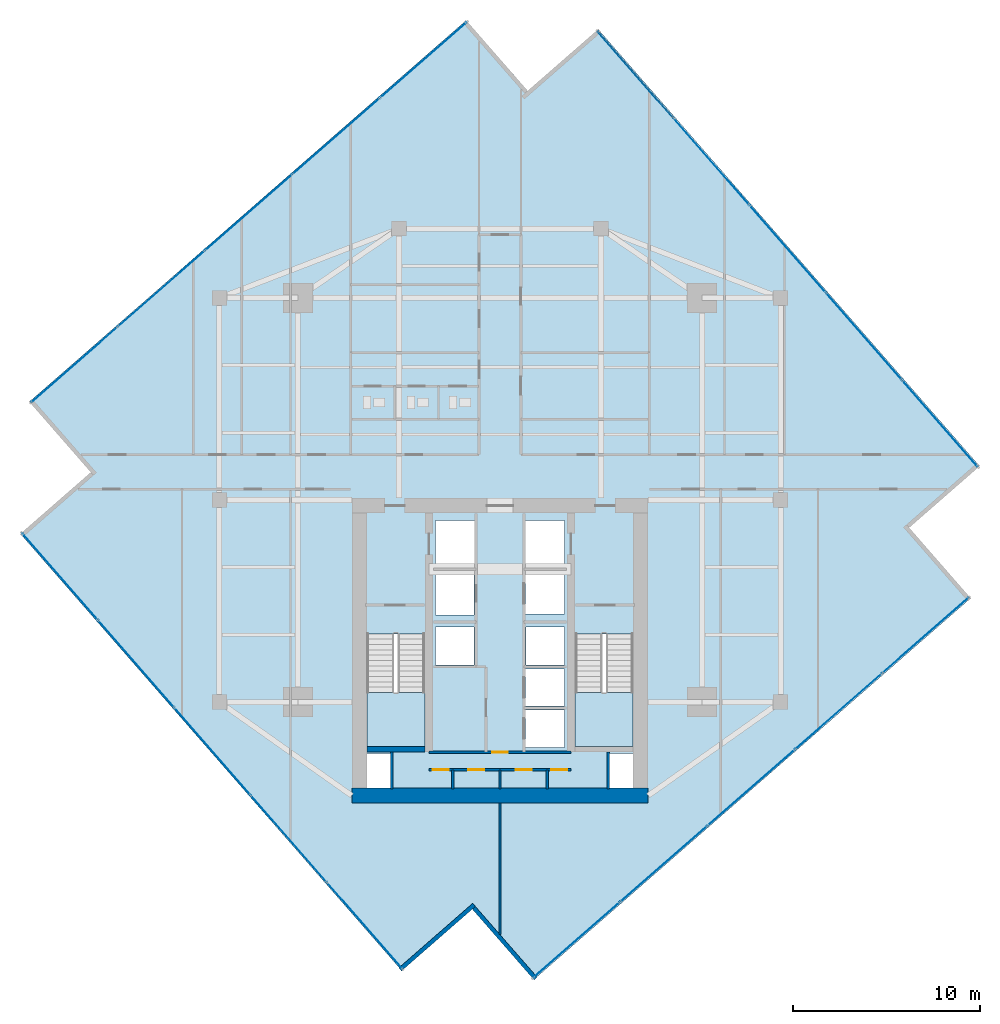
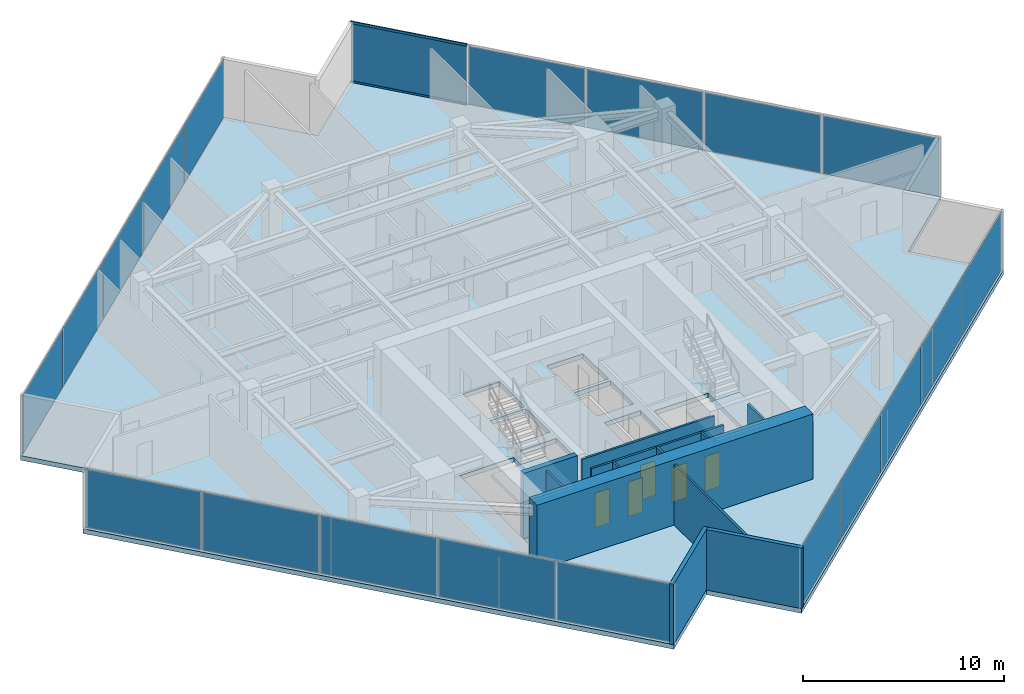
# One storey, part 19 of 24: 20 plates, 12 walls, 5 doors, 3 slabs, 2 members, 5 openings, 6 elements without a shape of their own.
"""IFC4 building model written with IfcOpenShell, lengths in metres."""

from ifc_helpers import new_model, si_unit, direction, frame, frame_2d, origin, origin_2d, place, context, subcontext, project, spatial, polyline, rectangle, hollow_rectangle, outline, extrude, source, transform, mapped, material, layer, layer_set, material_profile, profile_set, type_object, type_shapes, element, fill, aggregate, save


model = new_model("IFC4")

# Units and contexts
model_context = context("Model", 3, precision=1e-05, world=origin(), true_north=direction((0.0, 1.0)))
body_context = subcontext(model_context, "Body", "Model", "MODEL_VIEW")
ifc_project = project(units=[si_unit("LENGTHUNIT", "METRE"), si_unit("AREAUNIT", "SQUARE_METRE"), si_unit("VOLUMEUNIT", "CUBIC_METRE"), si_unit("PLANEANGLEUNIT", "RADIAN"), si_unit("MASSUNIT", "GRAM", prefix="KILO")], contexts=[model_context])

# Site, building, storey
site_placement = place(None, origin())
site = spatial("IfcSite", under=ifc_project, at=site_placement, CompositionType="ELEMENT")
building_placement = place(site_placement, origin())
building = spatial("IfcBuilding", under=site, at=building_placement, Name="Krantzveldt Concourse Tower", CompositionType="ELEMENT")
storey_placement = place(building_placement, frame((0.0, 0.0, 254.699951171875)))
storey = spatial("IfcBuildingStorey", under=building, at=storey_placement, Name="L62", CompositionType="ELEMENT", Elevation=254.699951171875)

# Curtain wall, members
ifc_material_1 = material(Name="Anodised aluminium 6063-T6", Category="aluminium")
curtain_wall_type = type_object("IfcCurtainWallType", Name="CW3", PredefinedType="USERDEFINED", material=ifc_material_1)
curtain_wall_1_placement = place(storey_placement, origin())
curtain_wall_1 = element("IfcCurtainWall", 1, at=curtain_wall_1_placement, inside=storey, type_object=curtain_wall_type, Name="CW-L62-F10", ObjectType="UNITISED CURTAIN WALL", PredefinedType="USERDEFINED")
ifc_material_profile = material_profile(ifc_material_1, hollow_rectangle(XDim=0.070068359375, YDim=0.139892578125, WallThickness=0.0048828125, at=origin_2d()), Name="Anodised aluminium 6063-T6", Category="aluminium")
ifc_profile_set = profile_set([ifc_material_profile], Name="Anodised aluminium 6063-T6 - ALU-TRAN 140x70x5")
member_type = type_object("IfcMemberType", Name="CW-TRN-150", PredefinedType="USERDEFINED", material=ifc_profile_set)
shared_shape_1 = source(origin(), body_context, "Body", "SweptSolid", [
    extrude(hollow_rectangle(XDim=0.070068359375, YDim=0.139892578125, WallThickness=0.0048828125, at=origin_2d()), origin(), (0.0, 0.0, 1.0), 6.094970703125),
])
type_shapes(member_type, [shared_shape_1])
member_1_placement = place(storey_placement, frame((45.234619140625, 47.155517578125, 0.03515625), z_axis=(-0.657681823072, 0.753295838035, 0.0), x_axis=(-0.753295838035, -0.657681823072, 0.0)))
member_1 = element("IfcMember", 2, at=member_1_placement, type_object=member_type, Name="CW-Z34 transom 5.1", ObjectType="TRANSOM", PredefinedType="USERDEFINED", context=body_context, shape_type="MappedRepresentation", body=[
    mapped(shared_shape_1, transform((0.0, 0.0, 0.0), x_axis=(1.0, 0.0, 0.0), y_axis=(0.0, 1.0, 0.0), z_axis=(0.0, 0.0, 1.0), scale=1.0)),
])
member_2_placement = place(storey_placement, frame((45.234619140625, 47.155517578125, 3.635009765625), z_axis=(-0.657681823072, 0.753295838035, 0.0), x_axis=(-0.753295838035, -0.657681823072, 0.0)))
member_2 = element("IfcMember", 3, at=member_2_placement, type_object=member_type, Name="CW-Z34 transom 5.2", ObjectType="TRANSOM", PredefinedType="USERDEFINED", context=body_context, shape_type="MappedRepresentation", body=[
    mapped(shared_shape_1, transform((0.0, 0.0, 0.0), x_axis=(1.0, 0.0, 0.0), y_axis=(0.0, 1.0, 0.0), z_axis=(0.0, 0.0, 1.0), scale=1.0)),
])

# Stair, slab
ifc_material_2 = material(Name="Precast concrete C40/50", Category="concrete")
stair_type = type_object("IfcStairType", Name="STR-CORE-DOGLEG", PredefinedType="HALF_TURN_STAIR", material=ifc_material_2)
stair_1_placement = place(storey_placement, origin())
stair_1 = element("IfcStair", 4, at=stair_1_placement, inside=storey, type_object=stair_type, Name="L62 Protected Escape Stair ST-1", PredefinedType="HALF_TURN_STAIR")
ifc_layer_1 = layer(ifc_material_2, 0.199951171875, Name="Precast concrete C40/50", Category="concrete")
ifc_layer_set_1 = layer_set([ifc_layer_1], Name="Precast concrete C40/50 (SL-LANDING-200)")
slab_type_1 = type_object("IfcSlabType", Name="SL-LANDING-200", PredefinedType="LANDING", material=ifc_layer_set_1)
slab_1_placement = place(storey_placement, frame((0.0, 0.0, 1.775146484375)))
slab_1 = element("IfcSlab", 5, at=slab_1_placement, type_object=slab_type_1, Name="ST-1 landing 1", PredefinedType="LANDING", context=body_context, shape_type="SweptSolid", body=[
    extrude(outline(polyline([(28.8798828125, 16.4150390625), (28.8798828125, 13.52001953125), (31.97998046875, 13.52001953125), (31.97998046875, 16.4150390625), (28.8798828125, 16.4150390625)])), origin(), (0.0, 0.0, 1.0), 0.199951171875),
])
aggregate(stair_1, [slab_1])

stair_2_placement = place(storey_placement, origin())
stair_2 = element("IfcStair", 6, at=stair_2_placement, inside=storey, type_object=stair_type, Name="L62 Protected Escape Stair ST-2", PredefinedType="HALF_TURN_STAIR")
slab_2_placement = place(storey_placement, frame((0.0, 0.0, 1.775146484375)))
slab_2 = element("IfcSlab", 7, at=slab_2_placement, type_object=slab_type_1, Name="ST-2 landing 1", PredefinedType="LANDING", context=body_context, shape_type="SweptSolid", body=[
    extrude(outline(polyline([(40.02001953125, 16.4150390625), (40.02001953125, 13.52001953125), (43.1201171875, 13.52001953125), (43.1201171875, 16.4150390625), (40.02001953125, 16.4150390625)])), origin(), (0.0, 0.0, 1.0), 0.199951171875),
])
aggregate(stair_2, [slab_2])

# Slab
ifc_material_3 = material(Name="Concrete C40/50", Category="concrete")
ifc_layer_2 = layer(ifc_material_3, 0.280029296875, Name="Concrete C40/50", Category="concrete")
ifc_layer_set_2 = layer_set([ifc_layer_2], Name="Concrete C40/50 (SL-SL-TWR280)")
slab_type_2 = type_object("IfcSlabType", Name="SL-SL-TWR280", PredefinedType="FLOOR", material=ifc_layer_set_2)
slab_3_placement = place(storey_placement, frame((0.0, 0.0, -0.280029296875)))
element("IfcSlab", 8, at=slab_3_placement, inside=storey, type_object=slab_type_2, Name="SL-L62-MAIN", PredefinedType="FLOOR", context=body_context, shape_type="SweptSolid", body=[
    extrude(outline(polyline([(37.4814453125, 48.5703125), (34.19287109375, 52.336669921875), (10.84130859375, 31.94775390625), (14.1298828125, 28.181396484375), (10.363525390625, 24.892822265625), (30.752197265625, 1.541259765625), (34.5185546875, 4.829833984375), (37.80712890625, 1.0634765625), (61.15869140625, 21.4521484375), (57.8701171875, 25.21875), (61.636474609375, 28.507080078125), (41.247802734375, 51.858642578125), (37.4814453125, 48.5703125)]), holes=[polyline([(28.8798828125, 19.547607421875), (28.8798828125, 13.52001953125), (31.97998046875, 13.52001953125), (31.97998046875, 19.547607421875), (28.8798828125, 19.547607421875)]), polyline([(40.02001953125, 19.547607421875), (40.02001953125, 13.52001953125), (43.1201171875, 13.52001953125), (43.1201171875, 19.547607421875), (40.02001953125, 19.547607421875)]), polyline([(32.550048828125, 23.10009765625), (34.64990234375, 23.10009765625), (34.64990234375, 25.60009765625), (32.550048828125, 25.60009765625), (32.550048828125, 23.10009765625)]), polyline([(37.35009765625, 23.10009765625), (39.449951171875, 23.10009765625), (39.449951171875, 25.60009765625), (37.35009765625, 25.60009765625), (37.35009765625, 23.10009765625)]), polyline([(37.35009765625, 20.60009765625), (39.449951171875, 20.60009765625), (39.449951171875, 22.89990234375), (37.35009765625, 22.89990234375), (37.35009765625, 20.60009765625)]), polyline([(37.35009765625, 13.47998046875), (39.449951171875, 13.47998046875), (39.449951171875, 15.47998046875), (37.35009765625, 15.47998046875), (37.35009765625, 13.47998046875)]), polyline([(37.35009765625, 15.679931640625), (39.449951171875, 15.679931640625), (39.449951171875, 17.679931640625), (37.35009765625, 17.679931640625), (37.35009765625, 15.679931640625)]), polyline([(32.550048828125, 20.550048828125), (34.6201171875, 20.550048828125), (34.6201171875, 22.89990234375), (32.550048828125, 22.89990234375), (32.550048828125, 20.550048828125)]), polyline([(32.550048828125, 17.8798828125), (34.6201171875, 17.8798828125), (34.6201171875, 19.919921875), (32.550048828125, 19.919921875), (32.550048828125, 17.8798828125)]), polyline([(37.3798828125, 17.8798828125), (39.449951171875, 17.8798828125), (39.449951171875, 19.919921875), (37.3798828125, 19.919921875), (37.3798828125, 17.8798828125)]), polyline([(28.8798828125, 11.320068359375), (30.139892578125, 11.320068359375), (30.139892578125, 13.159912109375), (28.8798828125, 13.159912109375), (28.8798828125, 11.320068359375)]), polyline([(41.860107421875, 11.320068359375), (43.1201171875, 11.320068359375), (43.1201171875, 13.159912109375), (41.860107421875, 13.159912109375), (41.860107421875, 11.320068359375)])]), origin(), (0.0, 0.0, 1.0), 0.280029296875),
])

# Curtain wall, plates
curtain_wall_2_placement = place(storey_placement, origin())
curtain_wall_2 = element("IfcCurtainWall", 9, at=curtain_wall_2_placement, inside=storey, type_object=curtain_wall_type, Name="CW-L62-F01", ObjectType="UNITISED CURTAIN WALL", PredefinedType="USERDEFINED")
ifc_material_4 = material(Name="Bronze-tinted laminated low-E IGU glass", Category="glass")
ifc_layer_3 = layer(ifc_material_4, 0.031982421875, Name="Bronze-tinted laminated low-E IGU glass", Category="glass")
ifc_layer_set_3 = layer_set([ifc_layer_3], Name="Bronze-tinted laminated low-E IGU glass (CW-GLZ-32)")
plate_type = type_object("IfcPlateType", Name="CW-GLZ-32", PredefinedType="CURTAIN_PANEL", material=ifc_layer_set_3)
shared_shape_2 = source(origin(), body_context, "Body", "SweptSolid", [
    extrude(rectangle(XDim=6.094970703125, YDim=0.031982421875, at=origin_2d()), origin(), (0.0, 0.0, 1.0), 3.530029296875),
])
plate_1_placement = place(storey_placement, frame((31.90380859375, 50.218505859375, 0.06982421875), z_axis=(0.0, 0.0, 1.0), x_axis=(-0.753276529034, -0.657703938567, 0.0)))
plate_1 = element("IfcPlate", 10, at=plate_1_placement, type_object=plate_type, Name="CW-Z34 panel 1.1", PredefinedType="CURTAIN_PANEL", context=body_context, shape_type="MappedRepresentation", body=[
    mapped(shared_shape_2, transform((0.0, 0.0, 0.0), x_axis=(1.0, 0.0, 0.0), y_axis=(0.0, 1.0, 0.0), z_axis=(0.0, 0.0, 1.0), scale=1.0)),
])
plate_2_placement = place(storey_placement, frame((13.248779296875, 33.930419921875, 0.06982421875), z_axis=(0.0, 0.0, 1.0), x_axis=(-0.753276529034, -0.657703938567, 0.0)))
plate_2 = element("IfcPlate", 11, at=plate_2_placement, type_object=plate_type, Name="CW-Z34 panel 5.1", PredefinedType="CURTAIN_PANEL", context=body_context, shape_type="MappedRepresentation", body=[
    mapped(shared_shape_2, transform((0.0, 0.0, 0.0), x_axis=(1.0, 0.0, 0.0), y_axis=(0.0, 1.0, 0.0), z_axis=(0.0, 0.0, 1.0), scale=1.0)),
])

curtain_wall_3_placement = place(storey_placement, origin())
curtain_wall_3 = element("IfcCurtainWall", 12, at=curtain_wall_3_placement, inside=storey, type_object=curtain_wall_type, Name="CW-L62-F04", ObjectType="UNITISED CURTAIN WALL", PredefinedType="USERDEFINED")
plate_3_placement = place(storey_placement, frame((12.481689453125, 22.603759765625, 0.06982421875), z_axis=(0.0, 0.0, 1.0), x_axis=(0.657703938567, -0.753276529034, 0.0)))
plate_3 = element("IfcPlate", 13, at=plate_3_placement, type_object=plate_type, Name="CW-Z34 panel 1.1", PredefinedType="CURTAIN_PANEL", context=body_context, shape_type="MappedRepresentation", body=[
    mapped(shared_shape_2, transform((0.0, 0.0, 0.0), x_axis=(1.0, 0.0, 0.0), y_axis=(0.0, 1.0, 0.0), z_axis=(0.0, 0.0, 1.0), scale=1.0)),
])
plate_4_placement = place(storey_placement, frame((28.76953125, 3.94873046875, 0.06982421875), z_axis=(0.0, 0.0, 1.0), x_axis=(0.657703938567, -0.753276529034, 0.0)))
plate_4 = element("IfcPlate", 14, at=plate_4_placement, type_object=plate_type, Name="CW-Z34 panel 5.1", PredefinedType="CURTAIN_PANEL", context=body_context, shape_type="MappedRepresentation", body=[
    mapped(shared_shape_2, transform((0.0, 0.0, 0.0), x_axis=(1.0, 0.0, 0.0), y_axis=(0.0, 1.0, 0.0), z_axis=(0.0, 0.0, 1.0), scale=1.0)),
])

curtain_wall_4_placement = place(storey_placement, origin())
curtain_wall_4 = element("IfcCurtainWall", 15, at=curtain_wall_4_placement, inside=storey, type_object=curtain_wall_type, Name="CW-L62-F07", ObjectType="UNITISED CURTAIN WALL", PredefinedType="USERDEFINED")
plate_5_placement = place(storey_placement, frame((40.09619140625, 3.181640625, 0.06982421875), z_axis=(0.0, 0.0, 1.0), x_axis=(0.753276529034, 0.657703938567, 0.0)))
plate_5 = element("IfcPlate", 16, at=plate_5_placement, type_object=plate_type, Name="CW-Z34 panel 1.1", PredefinedType="CURTAIN_PANEL", context=body_context, shape_type="MappedRepresentation", body=[
    mapped(shared_shape_2, transform((0.0, 0.0, 0.0), x_axis=(1.0, 0.0, 0.0), y_axis=(0.0, 1.0, 0.0), z_axis=(0.0, 0.0, 1.0), scale=1.0)),
])
plate_6_placement = place(storey_placement, frame((58.751220703125, 19.4697265625, 0.06982421875), z_axis=(0.0, 0.0, 1.0), x_axis=(0.753276529034, 0.657703938567, 0.0)))
plate_6 = element("IfcPlate", 17, at=plate_6_placement, type_object=plate_type, Name="CW-Z34 panel 5.1", PredefinedType="CURTAIN_PANEL", context=body_context, shape_type="MappedRepresentation", body=[
    mapped(shared_shape_2, transform((0.0, 0.0, 0.0), x_axis=(1.0, 0.0, 0.0), y_axis=(0.0, 1.0, 0.0), z_axis=(0.0, 0.0, 1.0), scale=1.0)),
])

# Plate
plate_7_placement = place(storey_placement, frame((59.518310546875, 30.79638671875, 0.06982421875), z_axis=(0.0, 0.0, 1.0), x_axis=(-0.657703938567, 0.753276529034, 0.0)))
plate_7 = element("IfcPlate", 18, at=plate_7_placement, type_object=plate_type, Name="CW-Z34 panel 1.1", PredefinedType="CURTAIN_PANEL", context=body_context, shape_type="MappedRepresentation", body=[
    mapped(shared_shape_2, transform((0.0, 0.0, 0.0), x_axis=(1.0, 0.0, 0.0), y_axis=(0.0, 1.0, 0.0), z_axis=(0.0, 0.0, 1.0), scale=1.0)),
])

plate_8_placement = place(storey_placement, frame((43.23046875, 49.451171875, 0.06982421875), z_axis=(0.0, 0.0, 1.0), x_axis=(-0.657703938567, 0.753276529034, 0.0)))
plate_8 = element("IfcPlate", 19, at=plate_8_placement, type_object=plate_type, Name="CW-Z34 panel 5.1", PredefinedType="CURTAIN_PANEL", context=body_context, shape_type="MappedRepresentation", body=[
    mapped(shared_shape_2, transform((0.0, 0.0, 0.0), x_axis=(1.0, 0.0, 0.0), y_axis=(0.0, 1.0, 0.0), z_axis=(0.0, 0.0, 1.0), scale=1.0)),
])

shared_shape_3 = source(origin(), body_context, "Body", "SweptSolid", [
    extrude(rectangle(XDim=6.1298828125, YDim=0.031982421875, at=origin_2d()), origin(), (0.0, 0.0, 1.0), 3.530029296875),
])
type_shapes(plate_type, [shared_shape_2, shared_shape_3])
plate_9_placement = place(storey_placement, frame((27.24658203125, 46.152099609375, 0.06982421875), z_axis=(0.0, 0.0, 1.0), x_axis=(-0.753276529034, -0.657703938567, 0.0)))
plate_9 = element("IfcPlate", 20, at=plate_9_placement, type_object=plate_type, Name="CW-Z34 panel 2.1", PredefinedType="CURTAIN_PANEL", context=body_context, shape_type="MappedRepresentation", body=[
    mapped(shared_shape_3, transform((0.0, 0.0, 0.0), x_axis=(1.0, 0.0, 0.0), y_axis=(0.0, 1.0, 0.0), z_axis=(0.0, 0.0, 1.0), scale=1.0)),
])

plate_10_placement = place(storey_placement, frame((22.576171875, 42.074462890625, 0.06982421875), z_axis=(0.0, 0.0, 1.0), x_axis=(-0.753276529034, -0.657703938567, 0.0)))
plate_10 = element("IfcPlate", 21, at=plate_10_placement, type_object=plate_type, Name="CW-Z34 panel 3.1", PredefinedType="CURTAIN_PANEL", context=body_context, shape_type="MappedRepresentation", body=[
    mapped(shared_shape_3, transform((0.0, 0.0, 0.0), x_axis=(1.0, 0.0, 0.0), y_axis=(0.0, 1.0, 0.0), z_axis=(0.0, 0.0, 1.0), scale=1.0)),
])

plate_11_placement = place(storey_placement, frame((17.906005859375, 37.99658203125, 0.06982421875), z_axis=(0.0, 0.0, 1.0), x_axis=(-0.753276529034, -0.657703938567, 0.0)))
plate_11 = element("IfcPlate", 22, at=plate_11_placement, type_object=plate_type, Name="CW-Z34 panel 4.1", PredefinedType="CURTAIN_PANEL", context=body_context, shape_type="MappedRepresentation", body=[
    mapped(shared_shape_3, transform((0.0, 0.0, 0.0), x_axis=(1.0, 0.0, 0.0), y_axis=(0.0, 1.0, 0.0), z_axis=(0.0, 0.0, 1.0), scale=1.0)),
])

aggregate(curtain_wall_2, [plate_1, plate_9, plate_10, plate_11, plate_2])

plate_12_placement = place(storey_placement, frame((16.5478515625, 17.946533203125, 0.06982421875), z_axis=(0.0, 0.0, 1.0), x_axis=(0.657703938567, -0.753276529034, 0.0)))
plate_12 = element("IfcPlate", 23, at=plate_12_placement, type_object=plate_type, Name="CW-Z34 panel 2.1", PredefinedType="CURTAIN_PANEL", context=body_context, shape_type="MappedRepresentation", body=[
    mapped(shared_shape_3, transform((0.0, 0.0, 0.0), x_axis=(1.0, 0.0, 0.0), y_axis=(0.0, 1.0, 0.0), z_axis=(0.0, 0.0, 1.0), scale=1.0)),
])

plate_13_placement = place(storey_placement, frame((20.625732421875, 13.2763671875, 0.06982421875), z_axis=(0.0, 0.0, 1.0), x_axis=(0.657703938567, -0.753276529034, 0.0)))
plate_13 = element("IfcPlate", 24, at=plate_13_placement, type_object=plate_type, Name="CW-Z34 panel 3.1", PredefinedType="CURTAIN_PANEL", context=body_context, shape_type="MappedRepresentation", body=[
    mapped(shared_shape_3, transform((0.0, 0.0, 0.0), x_axis=(1.0, 0.0, 0.0), y_axis=(0.0, 1.0, 0.0), z_axis=(0.0, 0.0, 1.0), scale=1.0)),
])

plate_14_placement = place(storey_placement, frame((24.703369140625, 8.60595703125, 0.06982421875), z_axis=(0.0, 0.0, 1.0), x_axis=(0.657703938567, -0.753276529034, 0.0)))
plate_14 = element("IfcPlate", 25, at=plate_14_placement, type_object=plate_type, Name="CW-Z34 panel 4.1", PredefinedType="CURTAIN_PANEL", context=body_context, shape_type="MappedRepresentation", body=[
    mapped(shared_shape_3, transform((0.0, 0.0, 0.0), x_axis=(1.0, 0.0, 0.0), y_axis=(0.0, 1.0, 0.0), z_axis=(0.0, 0.0, 1.0), scale=1.0)),
])

aggregate(curtain_wall_3, [plate_3, plate_12, plate_13, plate_14, plate_4])

plate_15_placement = place(storey_placement, frame((44.75341796875, 7.247802734375, 0.06982421875), z_axis=(0.0, 0.0, 1.0), x_axis=(0.753276529034, 0.657703938567, 0.0)))
plate_15 = element("IfcPlate", 26, at=plate_15_placement, type_object=plate_type, Name="CW-Z34 panel 2.1", PredefinedType="CURTAIN_PANEL", context=body_context, shape_type="MappedRepresentation", body=[
    mapped(shared_shape_3, transform((0.0, 0.0, 0.0), x_axis=(1.0, 0.0, 0.0), y_axis=(0.0, 1.0, 0.0), z_axis=(0.0, 0.0, 1.0), scale=1.0)),
])

plate_16_placement = place(storey_placement, frame((49.423828125, 11.32568359375, 0.06982421875), z_axis=(0.0, 0.0, 1.0), x_axis=(0.753276529034, 0.657703938567, 0.0)))
plate_16 = element("IfcPlate", 27, at=plate_16_placement, type_object=plate_type, Name="CW-Z34 panel 3.1", PredefinedType="CURTAIN_PANEL", context=body_context, shape_type="MappedRepresentation", body=[
    mapped(shared_shape_3, transform((0.0, 0.0, 0.0), x_axis=(1.0, 0.0, 0.0), y_axis=(0.0, 1.0, 0.0), z_axis=(0.0, 0.0, 1.0), scale=1.0)),
])

plate_17_placement = place(storey_placement, frame((54.093994140625, 15.4033203125, 0.06982421875), z_axis=(0.0, 0.0, 1.0), x_axis=(0.753276529034, 0.657703938567, 0.0)))
plate_17 = element("IfcPlate", 28, at=plate_17_placement, type_object=plate_type, Name="CW-Z34 panel 4.1", PredefinedType="CURTAIN_PANEL", context=body_context, shape_type="MappedRepresentation", body=[
    mapped(shared_shape_3, transform((0.0, 0.0, 0.0), x_axis=(1.0, 0.0, 0.0), y_axis=(0.0, 1.0, 0.0), z_axis=(0.0, 0.0, 1.0), scale=1.0)),
])

aggregate(curtain_wall_4, [plate_5, plate_15, plate_16, plate_17, plate_6])

plate_18_placement = place(storey_placement, frame((55.4521484375, 35.453369140625, 0.06982421875), z_axis=(0.0, 0.0, 1.0), x_axis=(-0.657703938567, 0.753276529034, 0.0)))
plate_18 = element("IfcPlate", 29, at=plate_18_placement, type_object=plate_type, Name="CW-Z34 panel 2.1", PredefinedType="CURTAIN_PANEL", context=body_context, shape_type="MappedRepresentation", body=[
    mapped(shared_shape_3, transform((0.0, 0.0, 0.0), x_axis=(1.0, 0.0, 0.0), y_axis=(0.0, 1.0, 0.0), z_axis=(0.0, 0.0, 1.0), scale=1.0)),
])

plate_19_placement = place(storey_placement, frame((51.374267578125, 40.123779296875, 0.06982421875), z_axis=(0.0, 0.0, 1.0), x_axis=(-0.657703938567, 0.753276529034, 0.0)))
plate_19 = element("IfcPlate", 30, at=plate_19_placement, type_object=plate_type, Name="CW-Z34 panel 3.1", PredefinedType="CURTAIN_PANEL", context=body_context, shape_type="MappedRepresentation", body=[
    mapped(shared_shape_3, transform((0.0, 0.0, 0.0), x_axis=(1.0, 0.0, 0.0), y_axis=(0.0, 1.0, 0.0), z_axis=(0.0, 0.0, 1.0), scale=1.0)),
])

plate_20_placement = place(storey_placement, frame((47.296630859375, 44.7939453125, 0.06982421875), z_axis=(0.0, 0.0, 1.0), x_axis=(-0.657703938567, 0.753276529034, 0.0)))
plate_20 = element("IfcPlate", 31, at=plate_20_placement, type_object=plate_type, Name="CW-Z34 panel 4.1", PredefinedType="CURTAIN_PANEL", context=body_context, shape_type="MappedRepresentation", body=[
    mapped(shared_shape_3, transform((0.0, 0.0, 0.0), x_axis=(1.0, 0.0, 0.0), y_axis=(0.0, 1.0, 0.0), z_axis=(0.0, 0.0, 1.0), scale=1.0)),
])

aggregate(curtain_wall_1, [plate_7, plate_18, plate_19, plate_20, member_1, member_2, plate_8])

# Walls
ifc_layer_4 = layer(ifc_material_1, 0.219970703125, Name="Anodised aluminium 6063-T6", Category="aluminium")
ifc_layer_set_4 = layer_set([ifc_layer_4], Name="Anodised aluminium 6063-T6 (WL-EXT-NOTCH220)")
wall_type_1 = type_object("IfcWallType", Name="WL-EXT-NOTCH220", PredefinedType="ELEMENTEDWALL", material=ifc_layer_set_4)
wall_1_placement = place(storey_placement, frame((30.6611328125, 1.607666015625, 0.0), z_axis=(0.0, 0.0, 1.0), x_axis=(0.7532711863, 0.657710057617, 0.0)))
element("IfcWall", 32, at=wall_1_placement, inside=storey, type_object=wall_type_1, Name="EW-L62-NCH05", PredefinedType="ELEMENTEDWALL", context=body_context, shape_type="SweptSolid", body=[
    extrude(rectangle(XDim=5.2451171875, YDim=0.219970703125, at=frame_2d((2.62255859375, 0.0))), origin(), (0.0, 0.0, 1.0), 3.670166015625),
])
wall_2_placement = place(storey_placement, frame((34.6015625, 4.902099609375, 0.0), z_axis=(0.0, 0.0, 1.0), x_axis=(0.657706226339, -0.753274531518, 0.0)))
element("IfcWall", 33, at=wall_2_placement, inside=storey, type_object=wall_type_1, Name="EW-L62-NCH06", PredefinedType="ELEMENTEDWALL", context=body_context, shape_type="SweptSolid", body=[
    extrude(rectangle(XDim=5.02490234375, YDim=0.219970703125, at=frame_2d((2.512451171875, 0.0))), origin(), (0.0, 0.0, 1.0), 3.670166015625),
])

# Wall, opening, door
ifc_material_5 = material(Name="Fire-rated gypsum plasterboard on steel stud", Category="steel")
ifc_layer_5 = layer(ifc_material_5, 0.1201171875, Name="Fire-rated gypsum plasterboard on steel stud", Category="steel")
ifc_layer_set_5 = layer_set([ifc_layer_5], Name="Fire-rated gypsum plasterboard on steel stud (WL-PART-120)")
wall_type_2 = type_object("IfcWallType", Name="WL-PART-120", PredefinedType="PARTITIONING", material=ifc_layer_set_5)
wall_3_placement = place(storey_placement, frame((32.2099609375, 13.219970703125, 0.0), z_axis=(0.0, 0.0, 1.0), x_axis=(1.0, 0.0, 0.0)))
wall_3 = element("IfcWall", 34, at=wall_3_placement, inside=storey, type_object=wall_type_2, Name="WP-L62-CS2H", PredefinedType="PARTITIONING", context=body_context, shape_type="SweptSolid", body=[
    extrude(rectangle(XDim=7.580078125, YDim=0.1201171875, at=frame_2d((3.7900390625, 0.0))), origin(), (0.0, 0.0, 1.0), 3.670166015625),
])
opening_1_placement = place(wall_3_placement, frame((3.364990234375, 0.0, 0.0)))
opening_1 = element("IfcOpeningElement", 35, at=opening_1_placement, cuts=wall_3, Name="Opening D-IN085", PredefinedType="OPENING", context=body_context, shape_type="SweptSolid", body=[
    extrude(rectangle(XDim=0.85009765625, YDim=2.10009765625, at=frame_2d((0.425048828125, 1.050048828125))), frame((0.0, 0.070068359375, 0.0), z_axis=(0.0, -1.0, 0.0), x_axis=(1.0, 0.0, 0.0)), (0.0, 0.0, 1.0), 0.14013671875),
])
ifc_material_6 = material(Name="Hardwood timber", Category="wood")
door_type = type_object("IfcDoorType", Name="DR-INT-850", OperationType="SINGLE_SWING_LEFT", PredefinedType="DOOR", material=ifc_material_6)
door_1_placement = place(opening_1_placement, origin())
door_1 = element("IfcDoor", 36, at=door_1_placement, inside=storey, type_object=door_type, Name="DR-L62-LLBS", OperationType="SINGLE_SWING_RIGHT", OverallHeight=2.10009765625, OverallWidth=0.85009765625, PredefinedType="DOOR", context=body_context, shape_type="SweptSolid", body=[
    extrude(rectangle(XDim=0.85009765625, YDim=2.10009765625, at=frame_2d((0.425048828125, 1.050048828125))), frame((0.0, 0.02490234375, 0.0), z_axis=(0.0, -1.0, 0.0), x_axis=(1.0, 0.0, 0.0)), (0.0, 0.0, 1.0), 0.050048828125),
])
fill(opening_1, door_1)

# Wall, openings, doors
wall_4_placement = place(storey_placement, frame((32.2099609375, 12.280029296875, 0.0), z_axis=(0.0, 0.0, 1.0), x_axis=(1.0, 0.0, 0.0)))
wall_4 = element("IfcWall", 37, at=wall_4_placement, inside=storey, type_object=wall_type_2, Name="WP-L62-CSD-HM", PredefinedType="PARTITIONING", context=body_context, shape_type="SweptSolid", body=[
    extrude(rectangle(XDim=7.580078125, YDim=0.1201171875, at=frame_2d((3.7900390625, 0.0))), origin(), (0.0, 0.0, 1.0), 3.670166015625),
])
opening_2_placement = place(wall_4_placement, frame((0.205078125, 0.0, 0.0)))
opening_2 = element("IfcOpeningElement", 38, at=opening_2_placement, cuts=wall_4, Name="Opening D-IN085", PredefinedType="OPENING", context=body_context, shape_type="SweptSolid", body=[
    extrude(rectangle(XDim=0.85009765625, YDim=2.10009765625, at=frame_2d((0.425048828125, 1.050048828125))), frame((0.0, 0.070068359375, 0.0), z_axis=(0.0, -1.0, 0.0), x_axis=(1.0, 0.0, 0.0)), (0.0, 0.0, 1.0), 0.14013671875),
])
opening_3_placement = place(wall_4_placement, frame((2.094970703125, 0.0, 0.0)))
opening_3 = element("IfcOpeningElement", 39, at=opening_3_placement, cuts=wall_4, Name="Opening D-IN085", PredefinedType="OPENING", context=body_context, shape_type="SweptSolid", body=[
    extrude(rectangle(XDim=0.85009765625, YDim=2.10009765625, at=frame_2d((0.425048828125, 1.050048828125))), frame((0.0, 0.070068359375, 0.0), z_axis=(0.0, -1.0, 0.0), x_axis=(1.0, 0.0, 0.0)), (0.0, 0.0, 1.0), 0.14013671875),
])
opening_4_placement = place(wall_4_placement, frame((4.635009765625, 0.0, 0.0)))
opening_4 = element("IfcOpeningElement", 40, at=opening_4_placement, cuts=wall_4, Name="Opening D-IN085", PredefinedType="OPENING", context=body_context, shape_type="SweptSolid", body=[
    extrude(rectangle(XDim=0.85009765625, YDim=2.10009765625, at=frame_2d((0.425048828125, 1.050048828125))), frame((0.0, 0.070068359375, 0.0), z_axis=(0.0, -1.0, 0.0), x_axis=(1.0, 0.0, 0.0)), (0.0, 0.0, 1.0), 0.14013671875),
])
opening_5_placement = place(wall_4_placement, frame((6.52490234375, 0.0, 0.0)))
opening_5 = element("IfcOpeningElement", 41, at=opening_5_placement, cuts=wall_4, Name="Opening D-IN085", PredefinedType="OPENING", context=body_context, shape_type="SweptSolid", body=[
    extrude(rectangle(XDim=0.85009765625, YDim=2.10009765625, at=frame_2d((0.425048828125, 1.050048828125))), frame((0.0, 0.070068359375, 0.0), z_axis=(0.0, -1.0, 0.0), x_axis=(1.0, 0.0, 0.0)), (0.0, 0.0, 1.0), 0.14013671875),
])
door_2_placement = place(opening_2_placement, origin())
door_2 = element("IfcDoor", 42, at=door_2_placement, inside=storey, type_object=door_type, Name="DR-L62-CSD1", OperationType="SINGLE_SWING_RIGHT", OverallHeight=2.10009765625, OverallWidth=0.85009765625, PredefinedType="DOOR", context=body_context, shape_type="SweptSolid", body=[
    extrude(rectangle(XDim=0.85009765625, YDim=2.10009765625, at=frame_2d((0.425048828125, 1.050048828125))), frame((0.0, 0.02490234375, 0.0), z_axis=(0.0, -1.0, 0.0), x_axis=(1.0, 0.0, 0.0)), (0.0, 0.0, 1.0), 0.050048828125),
])
fill(opening_2, door_2)
door_3_placement = place(opening_3_placement, origin())
door_3 = element("IfcDoor", 43, at=door_3_placement, inside=storey, type_object=door_type, Name="DR-L62-CSD2", OperationType="SINGLE_SWING_RIGHT", OverallHeight=2.10009765625, OverallWidth=0.85009765625, PredefinedType="DOOR", context=body_context, shape_type="SweptSolid", body=[
    extrude(rectangle(XDim=0.85009765625, YDim=2.10009765625, at=frame_2d((0.425048828125, 1.050048828125))), frame((0.0, 0.02490234375, 0.0), z_axis=(0.0, -1.0, 0.0), x_axis=(1.0, 0.0, 0.0)), (0.0, 0.0, 1.0), 0.050048828125),
])
fill(opening_3, door_3)
door_4_placement = place(opening_4_placement, origin())
door_4 = element("IfcDoor", 44, at=door_4_placement, inside=storey, type_object=door_type, Name="DR-L62-CSD3", OperationType="SINGLE_SWING_RIGHT", OverallHeight=2.10009765625, OverallWidth=0.85009765625, PredefinedType="DOOR", context=body_context, shape_type="SweptSolid", body=[
    extrude(rectangle(XDim=0.85009765625, YDim=2.10009765625, at=frame_2d((0.425048828125, 1.050048828125))), frame((0.0, 0.02490234375, 0.0), z_axis=(0.0, -1.0, 0.0), x_axis=(1.0, 0.0, 0.0)), (0.0, 0.0, 1.0), 0.050048828125),
])
fill(opening_4, door_4)
door_5_placement = place(opening_5_placement, origin())
door_5 = element("IfcDoor", 45, at=door_5_placement, inside=storey, type_object=door_type, Name="DR-L62-CSD4", OperationType="SINGLE_SWING_RIGHT", OverallHeight=2.10009765625, OverallWidth=0.85009765625, PredefinedType="DOOR", context=body_context, shape_type="SweptSolid", body=[
    extrude(rectangle(XDim=0.85009765625, YDim=2.10009765625, at=frame_2d((0.425048828125, 1.050048828125))), frame((0.0, 0.02490234375, 0.0), z_axis=(0.0, -1.0, 0.0), x_axis=(1.0, 0.0, 0.0)), (0.0, 0.0, 1.0), 0.050048828125),
])
fill(opening_5, door_5)

# Walls
for number, where, z_axis, x_axis, name in (
    (46, (33.469970703125, 11.25, 0.0), (0.0, 0.0, 1.0), (0.0, 1.0, 0.0), "WP-L62-CSD-V1"),
    (47, (36.0, 11.25, 0.0), (0.0, 0.0, 1.0), (0.0, 1.0, 0.0), "WP-L62-CSD-V2"),
    (48, (38.530029296875, 11.25, 0.0), (0.0, 0.0, 1.0), (0.0, 1.0, 0.0), "WP-L62-CSD-V3"),
):
    element("IfcWall", number, at=place(storey_placement, frame(where, z_axis=z_axis, x_axis=x_axis)), inside=storey, type_object=wall_type_2, Name=name, PredefinedType="PARTITIONING", context=body_context, shape_type="SweptSolid", body=[
        extrude(rectangle(XDim=1.030029296875, YDim=0.1201171875, at=frame_2d((0.51513671875, 0.0))), origin(), (0.0, 0.0, 1.0), 3.670166015625),
    ])
wall_5_placement = place(storey_placement, frame((36.0, 3.475341796875, 0.0), z_axis=(0.0, 0.0, 1.0), x_axis=(0.0, 1.0, 0.0)))
element("IfcWall", 49, at=wall_5_placement, inside=storey, type_object=wall_type_2, Name="WP-L62-SMID", PredefinedType="PARTITIONING", context=body_context, shape_type="SweptSolid", body=[
    extrude(rectangle(XDim=7.024658203125, YDim=0.1201171875, at=frame_2d((3.51220703125, 0.0))), origin(), (0.0, 0.0, 1.0), 3.670166015625),
])
ifc_layer_6 = layer(ifc_material_5, 0.139892578125, Name="Fire-rated gypsum plasterboard on steel stud", Category="steel")
ifc_layer_set_6 = layer_set([ifc_layer_6], Name="Fire-rated gypsum plasterboard on steel stud (WL-PART-FR140)")
wall_type_3 = type_object("IfcWallType", Name="WL-PART-FR140", PredefinedType="PARTITIONING", material=ifc_layer_set_6)
for number, where, z_axis, x_axis, name in (
    (50, (30.219970703125, 11.25, 0.0), (0.0, 0.0, 1.0), (0.0, 1.0, 0.0), "WP-L62-RSW"),
    (51, (41.780029296875, 11.25, 0.0), (0.0, 0.0, 1.0), (0.0, 1.0, 0.0), "WP-L62-RSE"),
):
    element("IfcWall", number, at=place(storey_placement, frame(where, z_axis=z_axis, x_axis=x_axis)), inside=storey, type_object=wall_type_3, Name=name, PredefinedType="PARTITIONING", context=body_context, shape_type="SweptSolid", body=[
        extrude(rectangle(XDim=1.969970703125, YDim=0.1201171875, at=frame_2d((0.98486328125, 0.0))), origin(), (0.0, 0.0, 1.0), 3.670166015625),
    ])
ifc_material_7 = material(Name="Concrete C50/60", Category="concrete")
ifc_layer_7 = layer(ifc_material_7, 0.300048828125, Name="Concrete C50/60", Category="concrete")
ifc_layer_set_7 = layer_set([ifc_layer_7], Name="Concrete C50/60 (WL-SHEAR-300)")
wall_type_4 = type_object("IfcWallType", Name="WL-SHEAR-300", PredefinedType="SHEAR", material=ifc_layer_set_7)
wall_6_placement = place(storey_placement, frame((28.8798828125, 13.3701171875, 0.0), z_axis=(0.0, 0.0, 1.0), x_axis=(1.0, 0.0, 0.0)))
element("IfcWall", 52, at=wall_6_placement, inside=storey, type_object=wall_type_4, Name="CW-L62-ST1S", PredefinedType="SHEAR", context=body_context, shape_type="SweptSolid", body=[
    extrude(rectangle(XDim=3.10009765625, YDim=0.300048828125, at=frame_2d((1.550048828125, 0.0))), origin(), (0.0, 0.0, 1.0), 3.949951171875),
])
ifc_material_8 = material(Name="Concrete C60/75", Category="concrete")
ifc_layer_8 = layer(ifc_material_8, 0.800048828125, Name="Concrete C60/75", Category="concrete")
ifc_layer_set_8 = layer_set([ifc_layer_8], Name="Concrete C60/75 (WL-SHEAR-800)")
wall_type_5 = type_object("IfcWallType", Name="WL-SHEAR-800", PredefinedType="SHEAR", material=ifc_layer_set_8)
wall_7_placement = place(storey_placement, frame((28.080078125, 10.89990234375, 0.0), z_axis=(0.0, 0.0, 1.0), x_axis=(1.0, 0.0, 0.0)))
element("IfcWall", 53, at=wall_7_placement, inside=storey, type_object=wall_type_5, Name="CW-L62-S", PredefinedType="SHEAR", context=body_context, shape_type="SweptSolid", body=[
    extrude(rectangle(XDim=15.83984375, YDim=0.800048828125, at=frame_2d((7.919921875, 0.0))), origin(), (0.0, 0.0, 1.0), 3.949951171875),
])

save(model, "model.ifc")
